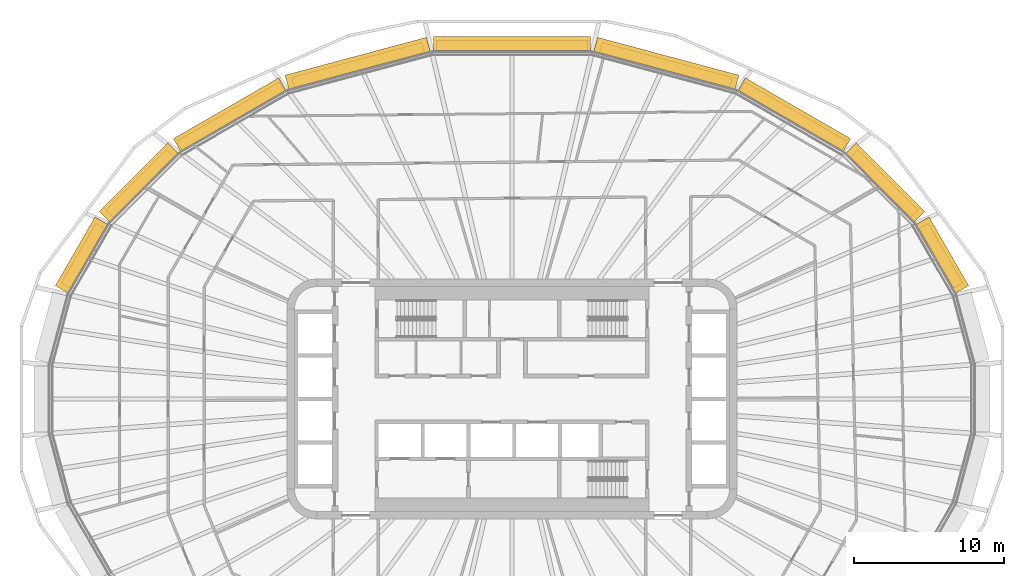
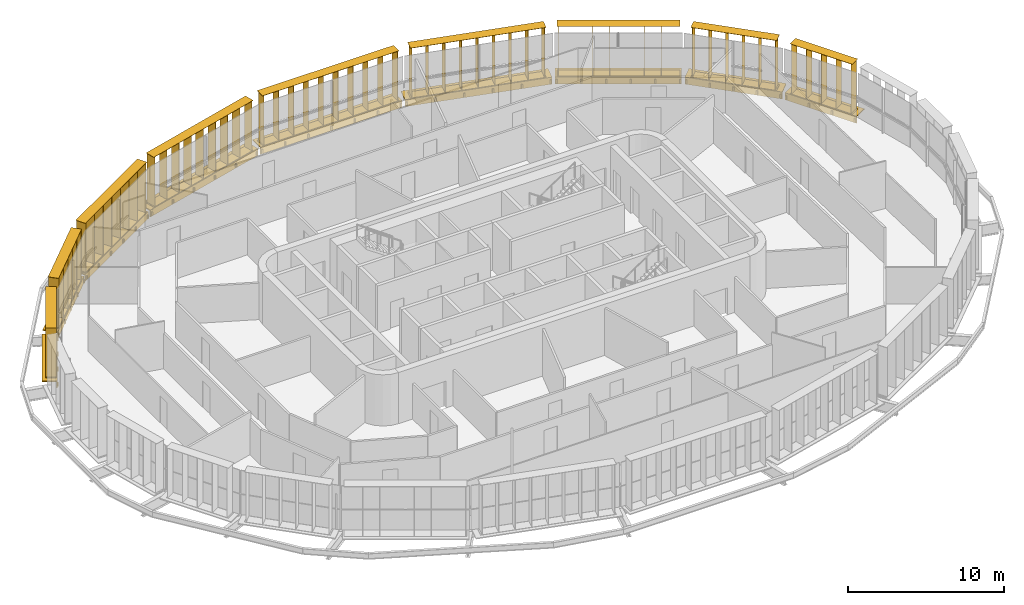
# One storey, part 21 of 21: 18 shading devices.
"""IFC4 building model written with IfcOpenShell, lengths in metres."""

from ifc_helpers import new_model, si_unit, direction, frame, origin, origin_2d, place, context, subcontext, project, spatial, rectangle, extrude, material, type_object, element, save


model = new_model("IFC4")

# Units and contexts
model_context = context("Model", 3, precision=1e-05, world=origin(), true_north=direction((0.0, 1.0)))
body_context = subcontext(model_context, "Body", "Model", "MODEL_VIEW")
ifc_project = project(units=[si_unit("LENGTHUNIT", "METRE"), si_unit("AREAUNIT", "SQUARE_METRE"), si_unit("VOLUMEUNIT", "CUBIC_METRE"), si_unit("PLANEANGLEUNIT", "RADIAN"), si_unit("MASSUNIT", "GRAM", prefix="KILO")], contexts=[model_context])

# Site, building, storey
site_placement = place(None, origin())
site = spatial("IfcSite", under=ifc_project, at=site_placement, CompositionType="ELEMENT")
building_placement = place(site_placement, origin())
building = spatial("IfcBuilding", under=site, at=building_placement, Name="Sahrelin Media Tower", CompositionType="ELEMENT")
storey_placement = place(building_placement, frame((0.0, 0.0, 193.60009765625)))
storey = spatial("IfcBuildingStorey", under=building, at=storey_placement, Name="L41", CompositionType="ELEMENT", Elevation=193.60009765625)

# Shading devices
ifc_material = material(Name="Champagne anodised aluminium 6063-T6", Category="aluminium")
shading_device_type_1 = type_object("IfcShadingDeviceType", Name="Fin cassette", PredefinedType="USERDEFINED", material=ifc_material)
placement_1 = place(storey_placement, frame((28.211181640625, 9.324951171875, 0.0), z_axis=(0.0, 0.0, 1.0), x_axis=(0.500011000363, -0.866019052629, 0.0)))
element("IfcShadingDevice", 1, at=placement_1, inside=storey, type_object=shading_device_type_1, Name="L41:FIN:L41-02", ObjectType="FIN", PredefinedType="USERDEFINED", context=body_context, shape_type="SweptSolid", body=[
    extrude(rectangle(XDim=4.60009765625, YDim=0.699951171875, at=origin_2d()), frame((0.0, 0.419921875, 0.0)), (0.0, 0.0, 1.0), 0.02001953125),
    extrude(rectangle(XDim=4.60009765625, YDim=0.699951171875, at=origin_2d()), frame((0.0, 0.419921875, 3.89990234375)), (0.0, 0.0, 1.0), 0.02001953125),
    extrude(rectangle(XDim=0.02001953125, YDim=0.699951171875, at=origin_2d()), frame((-2.199951171875, 0.419921875, 0.010009765625), z_axis=(0.0, 0.0, 1.0), x_axis=(1.0, 0.0, 0.0)), (0.0, 0.0, 1.0), 3.89990234375),
    extrude(rectangle(XDim=0.02001953125, YDim=0.699951171875, at=origin_2d()), frame((-1.10009765625, 0.419921875, 0.010009765625), z_axis=(0.0, 0.0, 1.0), x_axis=(1.0, 0.0, 0.0)), (0.0, 0.0, 1.0), 3.89990234375),
    extrude(rectangle(XDim=0.02001953125, YDim=0.699951171875, at=origin_2d()), frame((0.0, 0.419921875, 0.010009765625), z_axis=(0.0, 0.0, 1.0), x_axis=(1.0, 0.0, 0.0)), (0.0, 0.0, 1.0), 3.89990234375),
    extrude(rectangle(XDim=0.02001953125, YDim=0.699951171875, at=origin_2d()), frame((1.10009765625, 0.419921875, 0.010009765625), z_axis=(0.0, 0.0, 1.0), x_axis=(1.0, 0.0, 0.0)), (0.0, 0.0, 1.0), 3.89990234375),
    extrude(rectangle(XDim=0.02001953125, YDim=0.699951171875, at=origin_2d()), frame((2.199951171875, 0.419921875, 0.010009765625), z_axis=(0.0, 0.0, 1.0), x_axis=(1.0, 0.0, 0.0)), (0.0, 0.0, 1.0), 3.89990234375),
])
placement_2 = place(storey_placement, frame((24.48779296875, 14.05126953125, 0.0), z_axis=(0.0, 0.0, 1.0), x_axis=(0.707106781187, -0.707106781187, 0.0)))
element("IfcShadingDevice", 2, at=placement_2, inside=storey, type_object=shading_device_type_1, Name="L41:FIN:L41-03", ObjectType="FIN", PredefinedType="USERDEFINED", context=body_context, shape_type="SweptSolid", body=[
    extrude(rectangle(XDim=5.699951171875, YDim=0.699951171875, at=origin_2d()), frame((0.0, 0.419921875, 0.0)), (0.0, 0.0, 1.0), 0.02001953125),
    extrude(rectangle(XDim=5.699951171875, YDim=0.699951171875, at=origin_2d()), frame((0.0, 0.419921875, 3.89990234375)), (0.0, 0.0, 1.0), 0.02001953125),
    extrude(rectangle(XDim=0.02001953125, YDim=0.699951171875, at=origin_2d()), frame((-2.75, 0.419921875, 0.010009765625), z_axis=(0.0, 0.0, 1.0), x_axis=(1.0, 0.0, 0.0)), (0.0, 0.0, 1.0), 3.89990234375),
    extrude(rectangle(XDim=0.02001953125, YDim=0.699951171875, at=origin_2d()), frame((-1.64990234375, 0.419921875, 0.010009765625), z_axis=(0.0, 0.0, 1.0), x_axis=(1.0, 0.0, 0.0)), (0.0, 0.0, 1.0), 3.89990234375),
    extrude(rectangle(XDim=0.02001953125, YDim=0.699951171875, at=origin_2d()), frame((-0.550048828125, 0.419921875, 0.010009765625), z_axis=(0.0, 0.0, 1.0), x_axis=(1.0, 0.0, 0.0)), (0.0, 0.0, 1.0), 3.89990234375),
    extrude(rectangle(XDim=0.02001953125, YDim=0.699951171875, at=origin_2d()), frame((0.550048828125, 0.419921875, 0.010009765625), z_axis=(0.0, 0.0, 1.0), x_axis=(1.0, 0.0, 0.0)), (0.0, 0.0, 1.0), 3.89990234375),
    extrude(rectangle(XDim=0.02001953125, YDim=0.699951171875, at=origin_2d()), frame((1.64990234375, 0.419921875, 0.010009765625), z_axis=(0.0, 0.0, 1.0), x_axis=(1.0, 0.0, 0.0)), (0.0, 0.0, 1.0), 3.89990234375),
    extrude(rectangle(XDim=0.02001953125, YDim=0.699951171875, at=origin_2d()), frame((2.75, 0.419921875, 0.010009765625), z_axis=(0.0, 0.0, 1.0), x_axis=(1.0, 0.0, 0.0)), (0.0, 0.0, 1.0), 3.89990234375),
])
placement_3 = place(storey_placement, frame((18.54052734375, 18.47998046875, 0.0), z_axis=(0.0, 0.0, 1.0), x_axis=(0.866019052629, -0.500011000363, 0.0)))
element("IfcShadingDevice", 3, at=placement_3, inside=storey, type_object=shading_device_type_1, Name="L41:FIN:L41-04", ObjectType="FIN", PredefinedType="USERDEFINED", context=body_context, shape_type="SweptSolid", body=[
    extrude(rectangle(XDim=7.89990234375, YDim=0.699951171875, at=origin_2d()), frame((0.0, 0.419921875, 0.0)), (0.0, 0.0, 1.0), 0.02001953125),
    extrude(rectangle(XDim=7.89990234375, YDim=0.699951171875, at=origin_2d()), frame((0.0, 0.419921875, 3.89990234375)), (0.0, 0.0, 1.0), 0.02001953125),
    extrude(rectangle(XDim=0.02001953125, YDim=0.699951171875, at=origin_2d()), frame((-3.85009765625, 0.419921875, 0.010009765625), z_axis=(0.0, 0.0, 1.0), x_axis=(1.0, 0.0, 0.0)), (0.0, 0.0, 1.0), 3.89990234375),
    extrude(rectangle(XDim=0.02001953125, YDim=0.699951171875, at=origin_2d()), frame((-2.75, 0.419921875, 0.010009765625), z_axis=(0.0, 0.0, 1.0), x_axis=(1.0, 0.0, 0.0)), (0.0, 0.0, 1.0), 3.89990234375),
    extrude(rectangle(XDim=0.02001953125, YDim=0.699951171875, at=origin_2d()), frame((-1.64990234375, 0.419921875, 0.010009765625), z_axis=(0.0, 0.0, 1.0), x_axis=(1.0, 0.0, 0.0)), (0.0, 0.0, 1.0), 3.89990234375),
    extrude(rectangle(XDim=0.02001953125, YDim=0.699951171875, at=origin_2d()), frame((-0.550048828125, 0.419921875, 0.010009765625), z_axis=(0.0, 0.0, 1.0), x_axis=(1.0, 0.0, 0.0)), (0.0, 0.0, 1.0), 3.89990234375),
    extrude(rectangle(XDim=0.02001953125, YDim=0.699951171875, at=origin_2d()), frame((0.550048828125, 0.419921875, 0.010009765625), z_axis=(0.0, 0.0, 1.0), x_axis=(1.0, 0.0, 0.0)), (0.0, 0.0, 1.0), 3.89990234375),
    extrude(rectangle(XDim=0.02001953125, YDim=0.699951171875, at=origin_2d()), frame((1.64990234375, 0.419921875, 0.010009765625), z_axis=(0.0, 0.0, 1.0), x_axis=(1.0, 0.0, 0.0)), (0.0, 0.0, 1.0), 3.89990234375),
    extrude(rectangle(XDim=0.02001953125, YDim=0.699951171875, at=origin_2d()), frame((2.75, 0.419921875, 0.010009765625), z_axis=(0.0, 0.0, 1.0), x_axis=(1.0, 0.0, 0.0)), (0.0, 0.0, 1.0), 3.89990234375),
    extrude(rectangle(XDim=0.02001953125, YDim=0.699951171875, at=origin_2d()), frame((3.85009765625, 0.419921875, 0.010009765625), z_axis=(0.0, 0.0, 1.0), x_axis=(1.0, 0.0, 0.0)), (0.0, 0.0, 1.0), 3.89990234375),
])
placement_4 = place(storey_placement, frame((10.143310546875, 21.841796875, 0.0), z_axis=(0.0, 0.0, 1.0), x_axis=(0.965928857556, -0.258807731996, 0.0)))
element("IfcShadingDevice", 4, at=placement_4, inside=storey, type_object=shading_device_type_1, Name="L41:FIN:L41-05", ObjectType="FIN", PredefinedType="USERDEFINED", context=body_context, shape_type="SweptSolid", body=[
    extrude(rectangle(XDim=9.0, YDim=0.699951171875, at=origin_2d()), frame((0.0, 0.419921875, 0.0)), (0.0, 0.0, 1.0), 0.02001953125),
    extrude(rectangle(XDim=9.0, YDim=0.699951171875, at=origin_2d()), frame((0.0, 0.419921875, 3.89990234375)), (0.0, 0.0, 1.0), 0.02001953125),
    extrude(rectangle(XDim=0.02001953125, YDim=0.699951171875, at=origin_2d()), frame((-4.39990234375, 0.419921875, 0.010009765625), z_axis=(0.0, 0.0, 1.0), x_axis=(1.0, 0.0, 0.0)), (0.0, 0.0, 1.0), 3.89990234375),
    extrude(rectangle(XDim=0.02001953125, YDim=0.699951171875, at=origin_2d()), frame((-3.300048828125, 0.419921875, 0.010009765625), z_axis=(0.0, 0.0, 1.0), x_axis=(1.0, 0.0, 0.0)), (0.0, 0.0, 1.0), 3.89990234375),
    extrude(rectangle(XDim=0.02001953125, YDim=0.699951171875, at=origin_2d()), frame((-2.199951171875, 0.419921875, 0.010009765625), z_axis=(0.0, 0.0, 1.0), x_axis=(1.0, 0.0, 0.0)), (0.0, 0.0, 1.0), 3.89990234375),
    extrude(rectangle(XDim=0.02001953125, YDim=0.699951171875, at=origin_2d()), frame((-1.10009765625, 0.419921875, 0.010009765625), z_axis=(0.0, 0.0, 1.0), x_axis=(1.0, 0.0, 0.0)), (0.0, 0.0, 1.0), 3.89990234375),
    extrude(rectangle(XDim=0.02001953125, YDim=0.699951171875, at=origin_2d()), frame((0.0, 0.419921875, 0.010009765625), z_axis=(0.0, 0.0, 1.0), x_axis=(1.0, 0.0, 0.0)), (0.0, 0.0, 1.0), 3.89990234375),
    extrude(rectangle(XDim=0.02001953125, YDim=0.699951171875, at=origin_2d()), frame((1.10009765625, 0.419921875, 0.010009765625), z_axis=(0.0, 0.0, 1.0), x_axis=(1.0, 0.0, 0.0)), (0.0, 0.0, 1.0), 3.89990234375),
    extrude(rectangle(XDim=0.02001953125, YDim=0.699951171875, at=origin_2d()), frame((2.199951171875, 0.419921875, 0.010009765625), z_axis=(0.0, 0.0, 1.0), x_axis=(1.0, 0.0, 0.0)), (0.0, 0.0, 1.0), 3.89990234375),
    extrude(rectangle(XDim=0.02001953125, YDim=0.699951171875, at=origin_2d()), frame((3.300048828125, 0.419921875, 0.010009765625), z_axis=(0.0, 0.0, 1.0), x_axis=(1.0, 0.0, 0.0)), (0.0, 0.0, 1.0), 3.89990234375),
    extrude(rectangle(XDim=0.02001953125, YDim=0.699951171875, at=origin_2d()), frame((4.39990234375, 0.419921875, 0.010009765625), z_axis=(0.0, 0.0, 1.0), x_axis=(1.0, 0.0, 0.0)), (0.0, 0.0, 1.0), 3.89990234375),
])
placement_5 = place(storey_placement, frame((0.0, 23.12890625, 0.0), z_axis=(0.0, 0.0, 1.0), x_axis=(1.0, 0.0, 0.0)))
element("IfcShadingDevice", 5, at=placement_5, inside=storey, type_object=shading_device_type_1, Name="L41:FIN:L41-06", ObjectType="FIN", PredefinedType="USERDEFINED", context=body_context, shape_type="SweptSolid", body=[
    extrude(rectangle(XDim=10.10009765625, YDim=0.699951171875, at=origin_2d()), frame((0.0, 0.419921875, 0.0)), (0.0, 0.0, 1.0), 0.02001953125),
    extrude(rectangle(XDim=10.10009765625, YDim=0.699951171875, at=origin_2d()), frame((0.0, 0.419921875, 3.89990234375)), (0.0, 0.0, 1.0), 0.02001953125),
    extrude(rectangle(XDim=0.02001953125, YDim=0.699951171875, at=origin_2d()), frame((-4.949951171875, 0.419921875, 0.010009765625), z_axis=(0.0, 0.0, 1.0), x_axis=(1.0, 0.0, 0.0)), (0.0, 0.0, 1.0), 3.89990234375),
    extrude(rectangle(XDim=0.02001953125, YDim=0.699951171875, at=origin_2d()), frame((-3.85009765625, 0.419921875, 0.010009765625), z_axis=(0.0, 0.0, 1.0), x_axis=(1.0, 0.0, 0.0)), (0.0, 0.0, 1.0), 3.89990234375),
    extrude(rectangle(XDim=0.02001953125, YDim=0.699951171875, at=origin_2d()), frame((-2.75, 0.419921875, 0.010009765625), z_axis=(0.0, 0.0, 1.0), x_axis=(1.0, 0.0, 0.0)), (0.0, 0.0, 1.0), 3.89990234375),
    extrude(rectangle(XDim=0.02001953125, YDim=0.699951171875, at=origin_2d()), frame((-1.64990234375, 0.419921875, 0.010009765625), z_axis=(0.0, 0.0, 1.0), x_axis=(1.0, 0.0, 0.0)), (0.0, 0.0, 1.0), 3.89990234375),
    extrude(rectangle(XDim=0.02001953125, YDim=0.699951171875, at=origin_2d()), frame((-0.550048828125, 0.419921875, 0.010009765625), z_axis=(0.0, 0.0, 1.0), x_axis=(1.0, 0.0, 0.0)), (0.0, 0.0, 1.0), 3.89990234375),
    extrude(rectangle(XDim=0.02001953125, YDim=0.699951171875, at=origin_2d()), frame((0.550048828125, 0.419921875, 0.010009765625), z_axis=(0.0, 0.0, 1.0), x_axis=(1.0, 0.0, 0.0)), (0.0, 0.0, 1.0), 3.89990234375),
    extrude(rectangle(XDim=0.02001953125, YDim=0.699951171875, at=origin_2d()), frame((1.64990234375, 0.419921875, 0.010009765625), z_axis=(0.0, 0.0, 1.0), x_axis=(1.0, 0.0, 0.0)), (0.0, 0.0, 1.0), 3.89990234375),
    extrude(rectangle(XDim=0.02001953125, YDim=0.699951171875, at=origin_2d()), frame((2.75, 0.419921875, 0.010009765625), z_axis=(0.0, 0.0, 1.0), x_axis=(1.0, 0.0, 0.0)), (0.0, 0.0, 1.0), 3.89990234375),
    extrude(rectangle(XDim=0.02001953125, YDim=0.699951171875, at=origin_2d()), frame((3.85009765625, 0.419921875, 0.010009765625), z_axis=(0.0, 0.0, 1.0), x_axis=(1.0, 0.0, 0.0)), (0.0, 0.0, 1.0), 3.89990234375),
    extrude(rectangle(XDim=0.02001953125, YDim=0.699951171875, at=origin_2d()), frame((4.949951171875, 0.419921875, 0.010009765625), z_axis=(0.0, 0.0, 1.0), x_axis=(1.0, 0.0, 0.0)), (0.0, 0.0, 1.0), 3.89990234375),
])
placement_6 = place(storey_placement, frame((-10.143310546875, 21.841796875, 0.0), z_axis=(0.0, 0.0, 1.0), x_axis=(0.965928857556, 0.258807731996, 0.0)))
element("IfcShadingDevice", 6, at=placement_6, inside=storey, type_object=shading_device_type_1, Name="L41:FIN:L41-07", ObjectType="FIN", PredefinedType="USERDEFINED", context=body_context, shape_type="SweptSolid", body=[
    extrude(rectangle(XDim=9.0, YDim=0.699951171875, at=origin_2d()), frame((0.0, 0.419921875, 0.0)), (0.0, 0.0, 1.0), 0.02001953125),
    extrude(rectangle(XDim=9.0, YDim=0.699951171875, at=origin_2d()), frame((0.0, 0.419921875, 3.89990234375)), (0.0, 0.0, 1.0), 0.02001953125),
    extrude(rectangle(XDim=0.02001953125, YDim=0.699951171875, at=origin_2d()), frame((-4.39990234375, 0.419921875, 0.010009765625), z_axis=(0.0, 0.0, 1.0), x_axis=(1.0, 0.0, 0.0)), (0.0, 0.0, 1.0), 3.89990234375),
    extrude(rectangle(XDim=0.02001953125, YDim=0.699951171875, at=origin_2d()), frame((-3.300048828125, 0.419921875, 0.010009765625), z_axis=(0.0, 0.0, 1.0), x_axis=(1.0, 0.0, 0.0)), (0.0, 0.0, 1.0), 3.89990234375),
    extrude(rectangle(XDim=0.02001953125, YDim=0.699951171875, at=origin_2d()), frame((-2.199951171875, 0.419921875, 0.010009765625), z_axis=(0.0, 0.0, 1.0), x_axis=(1.0, 0.0, 0.0)), (0.0, 0.0, 1.0), 3.89990234375),
    extrude(rectangle(XDim=0.02001953125, YDim=0.699951171875, at=origin_2d()), frame((-1.10009765625, 0.419921875, 0.010009765625), z_axis=(0.0, 0.0, 1.0), x_axis=(1.0, 0.0, 0.0)), (0.0, 0.0, 1.0), 3.89990234375),
    extrude(rectangle(XDim=0.02001953125, YDim=0.699951171875, at=origin_2d()), frame((0.0, 0.419921875, 0.010009765625), z_axis=(0.0, 0.0, 1.0), x_axis=(1.0, 0.0, 0.0)), (0.0, 0.0, 1.0), 3.89990234375),
    extrude(rectangle(XDim=0.02001953125, YDim=0.699951171875, at=origin_2d()), frame((1.10009765625, 0.419921875, 0.010009765625), z_axis=(0.0, 0.0, 1.0), x_axis=(1.0, 0.0, 0.0)), (0.0, 0.0, 1.0), 3.89990234375),
    extrude(rectangle(XDim=0.02001953125, YDim=0.699951171875, at=origin_2d()), frame((2.199951171875, 0.419921875, 0.010009765625), z_axis=(0.0, 0.0, 1.0), x_axis=(1.0, 0.0, 0.0)), (0.0, 0.0, 1.0), 3.89990234375),
    extrude(rectangle(XDim=0.02001953125, YDim=0.699951171875, at=origin_2d()), frame((3.300048828125, 0.419921875, 0.010009765625), z_axis=(0.0, 0.0, 1.0), x_axis=(1.0, 0.0, 0.0)), (0.0, 0.0, 1.0), 3.89990234375),
    extrude(rectangle(XDim=0.02001953125, YDim=0.699951171875, at=origin_2d()), frame((4.39990234375, 0.419921875, 0.010009765625), z_axis=(0.0, 0.0, 1.0), x_axis=(1.0, 0.0, 0.0)), (0.0, 0.0, 1.0), 3.89990234375),
])
placement_7 = place(storey_placement, frame((-18.540283203125, 18.479736328125, 0.0), z_axis=(0.0, 0.0, 1.0), x_axis=(0.866019052629, 0.500011000363, 0.0)))
element("IfcShadingDevice", 7, at=placement_7, inside=storey, type_object=shading_device_type_1, Name="L41:FIN:L41-08", ObjectType="FIN", PredefinedType="USERDEFINED", context=body_context, shape_type="SweptSolid", body=[
    extrude(rectangle(XDim=7.89990234375, YDim=0.699951171875, at=origin_2d()), frame((0.0, 0.419921875, 0.0)), (0.0, 0.0, 1.0), 0.02001953125),
    extrude(rectangle(XDim=7.89990234375, YDim=0.699951171875, at=origin_2d()), frame((0.0, 0.419921875, 3.89990234375)), (0.0, 0.0, 1.0), 0.02001953125),
    extrude(rectangle(XDim=0.02001953125, YDim=0.699951171875, at=origin_2d()), frame((-3.85009765625, 0.419921875, 0.010009765625), z_axis=(0.0, 0.0, 1.0), x_axis=(1.0, 0.0, 0.0)), (0.0, 0.0, 1.0), 3.89990234375),
    extrude(rectangle(XDim=0.02001953125, YDim=0.699951171875, at=origin_2d()), frame((-2.75, 0.419921875, 0.010009765625), z_axis=(0.0, 0.0, 1.0), x_axis=(1.0, 0.0, 0.0)), (0.0, 0.0, 1.0), 3.89990234375),
    extrude(rectangle(XDim=0.02001953125, YDim=0.699951171875, at=origin_2d()), frame((-1.64990234375, 0.419921875, 0.010009765625), z_axis=(0.0, 0.0, 1.0), x_axis=(1.0, 0.0, 0.0)), (0.0, 0.0, 1.0), 3.89990234375),
    extrude(rectangle(XDim=0.02001953125, YDim=0.699951171875, at=origin_2d()), frame((-0.550048828125, 0.419921875, 0.010009765625), z_axis=(0.0, 0.0, 1.0), x_axis=(1.0, 0.0, 0.0)), (0.0, 0.0, 1.0), 3.89990234375),
    extrude(rectangle(XDim=0.02001953125, YDim=0.699951171875, at=origin_2d()), frame((0.550048828125, 0.419921875, 0.010009765625), z_axis=(0.0, 0.0, 1.0), x_axis=(1.0, 0.0, 0.0)), (0.0, 0.0, 1.0), 3.89990234375),
    extrude(rectangle(XDim=0.02001953125, YDim=0.699951171875, at=origin_2d()), frame((1.64990234375, 0.419921875, 0.010009765625), z_axis=(0.0, 0.0, 1.0), x_axis=(1.0, 0.0, 0.0)), (0.0, 0.0, 1.0), 3.89990234375),
    extrude(rectangle(XDim=0.02001953125, YDim=0.699951171875, at=origin_2d()), frame((2.75, 0.419921875, 0.010009765625), z_axis=(0.0, 0.0, 1.0), x_axis=(1.0, 0.0, 0.0)), (0.0, 0.0, 1.0), 3.89990234375),
    extrude(rectangle(XDim=0.02001953125, YDim=0.699951171875, at=origin_2d()), frame((3.85009765625, 0.419921875, 0.010009765625), z_axis=(0.0, 0.0, 1.0), x_axis=(1.0, 0.0, 0.0)), (0.0, 0.0, 1.0), 3.89990234375),
])
placement_8 = place(storey_placement, frame((-24.48779296875, 14.05126953125, 0.0), z_axis=(0.0, 0.0, 1.0), x_axis=(0.707106781187, 0.707106781187, 0.0)))
element("IfcShadingDevice", 8, at=placement_8, inside=storey, type_object=shading_device_type_1, Name="L41:FIN:L41-09", ObjectType="FIN", PredefinedType="USERDEFINED", context=body_context, shape_type="SweptSolid", body=[
    extrude(rectangle(XDim=5.699951171875, YDim=0.699951171875, at=origin_2d()), frame((0.0, 0.419921875, 0.0)), (0.0, 0.0, 1.0), 0.02001953125),
    extrude(rectangle(XDim=5.699951171875, YDim=0.699951171875, at=origin_2d()), frame((0.0, 0.419921875, 3.89990234375)), (0.0, 0.0, 1.0), 0.02001953125),
    extrude(rectangle(XDim=0.02001953125, YDim=0.699951171875, at=origin_2d()), frame((-2.75, 0.419921875, 0.010009765625), z_axis=(0.0, 0.0, 1.0), x_axis=(1.0, 0.0, 0.0)), (0.0, 0.0, 1.0), 3.89990234375),
    extrude(rectangle(XDim=0.02001953125, YDim=0.699951171875, at=origin_2d()), frame((-1.64990234375, 0.419921875, 0.010009765625), z_axis=(0.0, 0.0, 1.0), x_axis=(1.0, 0.0, 0.0)), (0.0, 0.0, 1.0), 3.89990234375),
    extrude(rectangle(XDim=0.02001953125, YDim=0.699951171875, at=origin_2d()), frame((-0.550048828125, 0.419921875, 0.010009765625), z_axis=(0.0, 0.0, 1.0), x_axis=(1.0, 0.0, 0.0)), (0.0, 0.0, 1.0), 3.89990234375),
    extrude(rectangle(XDim=0.02001953125, YDim=0.699951171875, at=origin_2d()), frame((0.550048828125, 0.419921875, 0.010009765625), z_axis=(0.0, 0.0, 1.0), x_axis=(1.0, 0.0, 0.0)), (0.0, 0.0, 1.0), 3.89990234375),
    extrude(rectangle(XDim=0.02001953125, YDim=0.699951171875, at=origin_2d()), frame((1.64990234375, 0.419921875, 0.010009765625), z_axis=(0.0, 0.0, 1.0), x_axis=(1.0, 0.0, 0.0)), (0.0, 0.0, 1.0), 3.89990234375),
    extrude(rectangle(XDim=0.02001953125, YDim=0.699951171875, at=origin_2d()), frame((2.75, 0.419921875, 0.010009765625), z_axis=(0.0, 0.0, 1.0), x_axis=(1.0, 0.0, 0.0)), (0.0, 0.0, 1.0), 3.89990234375),
])
placement_9 = place(storey_placement, frame((-28.211181640625, 9.324951171875, 0.0), z_axis=(0.0, 0.0, 1.0), x_axis=(0.500011000363, 0.866019052629, 0.0)))
element("IfcShadingDevice", 9, at=placement_9, inside=storey, type_object=shading_device_type_1, Name="L41:FIN:L41-10", ObjectType="FIN", PredefinedType="USERDEFINED", context=body_context, shape_type="SweptSolid", body=[
    extrude(rectangle(XDim=4.60009765625, YDim=0.699951171875, at=origin_2d()), frame((0.0, 0.419921875, 0.0)), (0.0, 0.0, 1.0), 0.02001953125),
    extrude(rectangle(XDim=4.60009765625, YDim=0.699951171875, at=origin_2d()), frame((0.0, 0.419921875, 3.89990234375)), (0.0, 0.0, 1.0), 0.02001953125),
    extrude(rectangle(XDim=0.02001953125, YDim=0.699951171875, at=origin_2d()), frame((-2.199951171875, 0.419921875, 0.010009765625), z_axis=(0.0, 0.0, 1.0), x_axis=(1.0, 0.0, 0.0)), (0.0, 0.0, 1.0), 3.89990234375),
    extrude(rectangle(XDim=0.02001953125, YDim=0.699951171875, at=origin_2d()), frame((-1.10009765625, 0.419921875, 0.010009765625), z_axis=(0.0, 0.0, 1.0), x_axis=(1.0, 0.0, 0.0)), (0.0, 0.0, 1.0), 3.89990234375),
    extrude(rectangle(XDim=0.02001953125, YDim=0.699951171875, at=origin_2d()), frame((0.0, 0.419921875, 0.010009765625), z_axis=(0.0, 0.0, 1.0), x_axis=(1.0, 0.0, 0.0)), (0.0, 0.0, 1.0), 3.89990234375),
    extrude(rectangle(XDim=0.02001953125, YDim=0.699951171875, at=origin_2d()), frame((1.10009765625, 0.419921875, 0.010009765625), z_axis=(0.0, 0.0, 1.0), x_axis=(1.0, 0.0, 0.0)), (0.0, 0.0, 1.0), 3.89990234375),
    extrude(rectangle(XDim=0.02001953125, YDim=0.699951171875, at=origin_2d()), frame((2.199951171875, 0.419921875, 0.010009765625), z_axis=(0.0, 0.0, 1.0), x_axis=(1.0, 0.0, 0.0)), (0.0, 0.0, 1.0), 3.89990234375),
])
shading_device_type_2 = type_object("IfcShadingDeviceType", Name="Sunshade band", PredefinedType="USERDEFINED", material=ifc_material)
element("IfcShadingDevice", 10, at=placement_1, inside=storey, type_object=shading_device_type_2, Name="L41:SUN:L41-02", ObjectType="SUNSHADE", PredefinedType="USERDEFINED", context=body_context, shape_type="SweptSolid", body=[
    extrude(rectangle(XDim=5.279052734375, YDim=0.050048828125, at=origin_2d()), frame((0.0, 0.044921875, -0.55126953125)), (0.0, 0.0, 1.0), 0.471435546875),
    extrude(rectangle(XDim=5.279052734375, YDim=1.0, at=origin_2d()), frame((0.0, 0.52001953125, -0.080078125)), (0.0, 0.0, 1.0), 0.080078125),
    extrude(rectangle(XDim=0.10009765625, YDim=0.074951171875, at=origin_2d()), frame((-2.53955078125, -0.017578125, -0.47021484375)), (0.0, 0.0, 1.0), 0.300048828125),
    extrude(rectangle(XDim=0.10009765625, YDim=0.074951171875, at=origin_2d()), frame((-0.846435546875, -0.017578125, -0.47021484375)), (0.0, 0.0, 1.0), 0.300048828125),
    extrude(rectangle(XDim=0.10009765625, YDim=0.074951171875, at=origin_2d()), frame((0.846435546875, -0.017578125, -0.47021484375)), (0.0, 0.0, 1.0), 0.300048828125),
    extrude(rectangle(XDim=0.10009765625, YDim=0.074951171875, at=origin_2d()), frame((2.53955078125, -0.017578125, -0.47021484375)), (0.0, 0.0, 1.0), 0.300048828125),
])
element("IfcShadingDevice", 11, at=placement_2, inside=storey, type_object=shading_device_type_2, Name="L41:SUN:L41-03", ObjectType="SUNSHADE", PredefinedType="USERDEFINED", context=body_context, shape_type="SweptSolid", body=[
    extrude(rectangle(XDim=6.45751953125, YDim=0.050048828125, at=origin_2d()), frame((0.0, 0.044921875, -0.55126953125)), (0.0, 0.0, 1.0), 0.471435546875),
    extrude(rectangle(XDim=6.45751953125, YDim=1.0, at=origin_2d()), frame((0.0, 0.52001953125, -0.080078125)), (0.0, 0.0, 1.0), 0.080078125),
    extrude(rectangle(XDim=0.10009765625, YDim=0.074951171875, at=origin_2d()), frame((-3.12890625, -0.017578125, -0.47021484375)), (0.0, 0.0, 1.0), 0.300048828125),
    extrude(rectangle(XDim=0.10009765625, YDim=0.074951171875, at=origin_2d()), frame((-1.564453125, -0.017578125, -0.47021484375)), (0.0, 0.0, 1.0), 0.300048828125),
    extrude(rectangle(XDim=0.10009765625, YDim=0.074951171875, at=origin_2d()), frame((0.0, -0.017578125, -0.47021484375)), (0.0, 0.0, 1.0), 0.300048828125),
    extrude(rectangle(XDim=0.10009765625, YDim=0.074951171875, at=origin_2d()), frame((1.564453125, -0.017578125, -0.47021484375)), (0.0, 0.0, 1.0), 0.300048828125),
    extrude(rectangle(XDim=0.10009765625, YDim=0.074951171875, at=origin_2d()), frame((3.12890625, -0.017578125, -0.47021484375)), (0.0, 0.0, 1.0), 0.300048828125),
])
element("IfcShadingDevice", 12, at=placement_3, inside=storey, type_object=shading_device_type_2, Name="L41:SUN:L41-04", ObjectType="SUNSHADE", PredefinedType="USERDEFINED", context=body_context, shape_type="SweptSolid", body=[
    extrude(rectangle(XDim=8.09912109375, YDim=0.050048828125, at=origin_2d()), frame((0.0, 0.044921875, -0.55126953125)), (0.0, 0.0, 1.0), 0.471435546875),
    extrude(rectangle(XDim=8.09912109375, YDim=1.0, at=origin_2d()), frame((0.0, 0.52001953125, -0.080078125)), (0.0, 0.0, 1.0), 0.080078125),
    extrude(rectangle(XDim=0.10009765625, YDim=0.074951171875, at=origin_2d()), frame((-3.949462890625, -0.017578125, -0.47021484375)), (0.0, 0.0, 1.0), 0.300048828125),
    extrude(rectangle(XDim=0.10009765625, YDim=0.074951171875, at=origin_2d()), frame((-2.36962890625, -0.017578125, -0.47021484375)), (0.0, 0.0, 1.0), 0.300048828125),
    extrude(rectangle(XDim=0.10009765625, YDim=0.074951171875, at=origin_2d()), frame((-0.789794921875, -0.017578125, -0.47021484375)), (0.0, 0.0, 1.0), 0.300048828125),
    extrude(rectangle(XDim=0.10009765625, YDim=0.074951171875, at=origin_2d()), frame((0.789794921875, -0.017578125, -0.47021484375)), (0.0, 0.0, 1.0), 0.300048828125),
    extrude(rectangle(XDim=0.10009765625, YDim=0.074951171875, at=origin_2d()), frame((2.36962890625, -0.017578125, -0.47021484375)), (0.0, 0.0, 1.0), 0.300048828125),
    extrude(rectangle(XDim=0.10009765625, YDim=0.074951171875, at=origin_2d()), frame((3.949462890625, -0.017578125, -0.47021484375)), (0.0, 0.0, 1.0), 0.300048828125),
])
element("IfcShadingDevice", 13, at=placement_4, inside=storey, type_object=shading_device_type_2, Name="L41:SUN:L41-05", ObjectType="SUNSHADE", PredefinedType="USERDEFINED", context=body_context, shape_type="SweptSolid", body=[
    extrude(rectangle(XDim=9.74609375, YDim=0.050048828125, at=origin_2d()), frame((0.0, 0.044921875, -0.55126953125)), (0.0, 0.0, 1.0), 0.471435546875),
    extrude(rectangle(XDim=9.74609375, YDim=1.0, at=origin_2d()), frame((0.0, 0.52001953125, -0.080078125)), (0.0, 0.0, 1.0), 0.080078125),
    extrude(rectangle(XDim=0.10009765625, YDim=0.074951171875, at=origin_2d()), frame((-4.773193359375, -0.017578125, -0.47021484375)), (0.0, 0.0, 1.0), 0.300048828125),
    extrude(rectangle(XDim=0.10009765625, YDim=0.074951171875, at=origin_2d()), frame((-2.864013671875, -0.017578125, -0.47021484375)), (0.0, 0.0, 1.0), 0.300048828125),
    extrude(rectangle(XDim=0.10009765625, YDim=0.074951171875, at=origin_2d()), frame((-0.95458984375, -0.017578125, -0.47021484375)), (0.0, 0.0, 1.0), 0.300048828125),
    extrude(rectangle(XDim=0.10009765625, YDim=0.074951171875, at=origin_2d()), frame((0.95458984375, -0.017578125, -0.47021484375)), (0.0, 0.0, 1.0), 0.300048828125),
    extrude(rectangle(XDim=0.10009765625, YDim=0.074951171875, at=origin_2d()), frame((2.864013671875, -0.017578125, -0.47021484375)), (0.0, 0.0, 1.0), 0.300048828125),
    extrude(rectangle(XDim=0.10009765625, YDim=0.074951171875, at=origin_2d()), frame((4.773193359375, -0.017578125, -0.47021484375)), (0.0, 0.0, 1.0), 0.300048828125),
])
element("IfcShadingDevice", 14, at=placement_5, inside=storey, type_object=shading_device_type_2, Name="L41:SUN:L41-06", ObjectType="SUNSHADE", PredefinedType="USERDEFINED", context=body_context, shape_type="SweptSolid", body=[
    extrude(rectangle(XDim=10.479248046875, YDim=0.050048828125, at=origin_2d()), frame((0.0, 0.044921875, -0.55126953125)), (0.0, 0.0, 1.0), 0.471435546875),
    extrude(rectangle(XDim=10.479248046875, YDim=1.0, at=origin_2d()), frame((0.0, 0.52001953125, -0.080078125)), (0.0, 0.0, 1.0), 0.080078125),
    extrude(rectangle(XDim=0.10009765625, YDim=0.074951171875, at=origin_2d()), frame((-5.1396484375, -0.017578125, -0.47021484375)), (0.0, 0.0, 1.0), 0.300048828125),
    extrude(rectangle(XDim=0.10009765625, YDim=0.074951171875, at=origin_2d()), frame((-3.426513671875, -0.017578125, -0.47021484375)), (0.0, 0.0, 1.0), 0.300048828125),
    extrude(rectangle(XDim=0.10009765625, YDim=0.074951171875, at=origin_2d()), frame((-1.713134765625, -0.017578125, -0.47021484375)), (0.0, 0.0, 1.0), 0.300048828125),
    extrude(rectangle(XDim=0.10009765625, YDim=0.074951171875, at=origin_2d()), frame((0.0, -0.017578125, -0.47021484375)), (0.0, 0.0, 1.0), 0.300048828125),
    extrude(rectangle(XDim=0.10009765625, YDim=0.074951171875, at=origin_2d()), frame((1.713134765625, -0.017578125, -0.47021484375)), (0.0, 0.0, 1.0), 0.300048828125),
    extrude(rectangle(XDim=0.10009765625, YDim=0.074951171875, at=origin_2d()), frame((3.426513671875, -0.017578125, -0.47021484375)), (0.0, 0.0, 1.0), 0.300048828125),
    extrude(rectangle(XDim=0.10009765625, YDim=0.074951171875, at=origin_2d()), frame((5.1396484375, -0.017578125, -0.47021484375)), (0.0, 0.0, 1.0), 0.300048828125),
])
element("IfcShadingDevice", 15, at=placement_6, inside=storey, type_object=shading_device_type_2, Name="L41:SUN:L41-07", ObjectType="SUNSHADE", PredefinedType="USERDEFINED", context=body_context, shape_type="SweptSolid", body=[
    extrude(rectangle(XDim=9.74609375, YDim=0.050048828125, at=origin_2d()), frame((0.0, 0.044921875, -0.55126953125)), (0.0, 0.0, 1.0), 0.471435546875),
    extrude(rectangle(XDim=9.74609375, YDim=1.0, at=origin_2d()), frame((0.0, 0.52001953125, -0.080078125)), (0.0, 0.0, 1.0), 0.080078125),
    extrude(rectangle(XDim=0.10009765625, YDim=0.074951171875, at=origin_2d()), frame((-4.773193359375, -0.017578125, -0.47021484375)), (0.0, 0.0, 1.0), 0.300048828125),
    extrude(rectangle(XDim=0.10009765625, YDim=0.074951171875, at=origin_2d()), frame((-2.864013671875, -0.017578125, -0.47021484375)), (0.0, 0.0, 1.0), 0.300048828125),
    extrude(rectangle(XDim=0.10009765625, YDim=0.074951171875, at=origin_2d()), frame((-0.95458984375, -0.017578125, -0.47021484375)), (0.0, 0.0, 1.0), 0.300048828125),
    extrude(rectangle(XDim=0.10009765625, YDim=0.074951171875, at=origin_2d()), frame((0.95458984375, -0.017578125, -0.47021484375)), (0.0, 0.0, 1.0), 0.300048828125),
    extrude(rectangle(XDim=0.10009765625, YDim=0.074951171875, at=origin_2d()), frame((2.864013671875, -0.017578125, -0.47021484375)), (0.0, 0.0, 1.0), 0.300048828125),
    extrude(rectangle(XDim=0.10009765625, YDim=0.074951171875, at=origin_2d()), frame((4.773193359375, -0.017578125, -0.47021484375)), (0.0, 0.0, 1.0), 0.300048828125),
])
element("IfcShadingDevice", 16, at=placement_7, inside=storey, type_object=shading_device_type_2, Name="L41:SUN:L41-08", ObjectType="SUNSHADE", PredefinedType="USERDEFINED", context=body_context, shape_type="SweptSolid", body=[
    extrude(rectangle(XDim=8.09912109375, YDim=0.050048828125, at=origin_2d()), frame((0.0, 0.044921875, -0.55126953125)), (0.0, 0.0, 1.0), 0.471435546875),
    extrude(rectangle(XDim=8.09912109375, YDim=1.0, at=origin_2d()), frame((0.0, 0.52001953125, -0.080078125)), (0.0, 0.0, 1.0), 0.080078125),
    extrude(rectangle(XDim=0.10009765625, YDim=0.074951171875, at=origin_2d()), frame((-3.949462890625, -0.017578125, -0.47021484375)), (0.0, 0.0, 1.0), 0.300048828125),
    extrude(rectangle(XDim=0.10009765625, YDim=0.074951171875, at=origin_2d()), frame((-2.36962890625, -0.017578125, -0.47021484375)), (0.0, 0.0, 1.0), 0.300048828125),
    extrude(rectangle(XDim=0.10009765625, YDim=0.074951171875, at=origin_2d()), frame((-0.789794921875, -0.017578125, -0.47021484375)), (0.0, 0.0, 1.0), 0.300048828125),
    extrude(rectangle(XDim=0.10009765625, YDim=0.074951171875, at=origin_2d()), frame((0.789794921875, -0.017578125, -0.47021484375)), (0.0, 0.0, 1.0), 0.300048828125),
    extrude(rectangle(XDim=0.10009765625, YDim=0.074951171875, at=origin_2d()), frame((2.36962890625, -0.017578125, -0.47021484375)), (0.0, 0.0, 1.0), 0.300048828125),
    extrude(rectangle(XDim=0.10009765625, YDim=0.074951171875, at=origin_2d()), frame((3.949462890625, -0.017578125, -0.47021484375)), (0.0, 0.0, 1.0), 0.300048828125),
])
element("IfcShadingDevice", 17, at=placement_8, inside=storey, type_object=shading_device_type_2, Name="L41:SUN:L41-09", ObjectType="SUNSHADE", PredefinedType="USERDEFINED", context=body_context, shape_type="SweptSolid", body=[
    extrude(rectangle(XDim=6.45751953125, YDim=0.050048828125, at=origin_2d()), frame((0.0, 0.044921875, -0.55126953125)), (0.0, 0.0, 1.0), 0.471435546875),
    extrude(rectangle(XDim=6.45751953125, YDim=1.0, at=origin_2d()), frame((0.0, 0.52001953125, -0.080078125)), (0.0, 0.0, 1.0), 0.080078125),
    extrude(rectangle(XDim=0.10009765625, YDim=0.074951171875, at=origin_2d()), frame((-3.12890625, -0.017578125, -0.47021484375)), (0.0, 0.0, 1.0), 0.300048828125),
    extrude(rectangle(XDim=0.10009765625, YDim=0.074951171875, at=origin_2d()), frame((-1.564453125, -0.017578125, -0.47021484375)), (0.0, 0.0, 1.0), 0.300048828125),
    extrude(rectangle(XDim=0.10009765625, YDim=0.074951171875, at=origin_2d()), frame((0.0, -0.017578125, -0.47021484375)), (0.0, 0.0, 1.0), 0.300048828125),
    extrude(rectangle(XDim=0.10009765625, YDim=0.074951171875, at=origin_2d()), frame((1.564453125, -0.017578125, -0.47021484375)), (0.0, 0.0, 1.0), 0.300048828125),
    extrude(rectangle(XDim=0.10009765625, YDim=0.074951171875, at=origin_2d()), frame((3.12890625, -0.017578125, -0.47021484375)), (0.0, 0.0, 1.0), 0.300048828125),
])
element("IfcShadingDevice", 18, at=placement_9, inside=storey, type_object=shading_device_type_2, Name="L41:SUN:L41-10", ObjectType="SUNSHADE", PredefinedType="USERDEFINED", context=body_context, shape_type="SweptSolid", body=[
    extrude(rectangle(XDim=5.279052734375, YDim=0.050048828125, at=origin_2d()), frame((0.0, 0.044921875, -0.55126953125)), (0.0, 0.0, 1.0), 0.471435546875),
    extrude(rectangle(XDim=5.279052734375, YDim=1.0, at=origin_2d()), frame((0.0, 0.52001953125, -0.080078125)), (0.0, 0.0, 1.0), 0.080078125),
    extrude(rectangle(XDim=0.10009765625, YDim=0.074951171875, at=origin_2d()), frame((-2.53955078125, -0.017578125, -0.47021484375)), (0.0, 0.0, 1.0), 0.300048828125),
    extrude(rectangle(XDim=0.10009765625, YDim=0.074951171875, at=origin_2d()), frame((-0.846435546875, -0.017578125, -0.47021484375)), (0.0, 0.0, 1.0), 0.300048828125),
    extrude(rectangle(XDim=0.10009765625, YDim=0.074951171875, at=origin_2d()), frame((0.846435546875, -0.017578125, -0.47021484375)), (0.0, 0.0, 1.0), 0.300048828125),
    extrude(rectangle(XDim=0.10009765625, YDim=0.074951171875, at=origin_2d()), frame((2.53955078125, -0.017578125, -0.47021484375)), (0.0, 0.0, 1.0), 0.300048828125),
])

save(model, "model.ifc")
